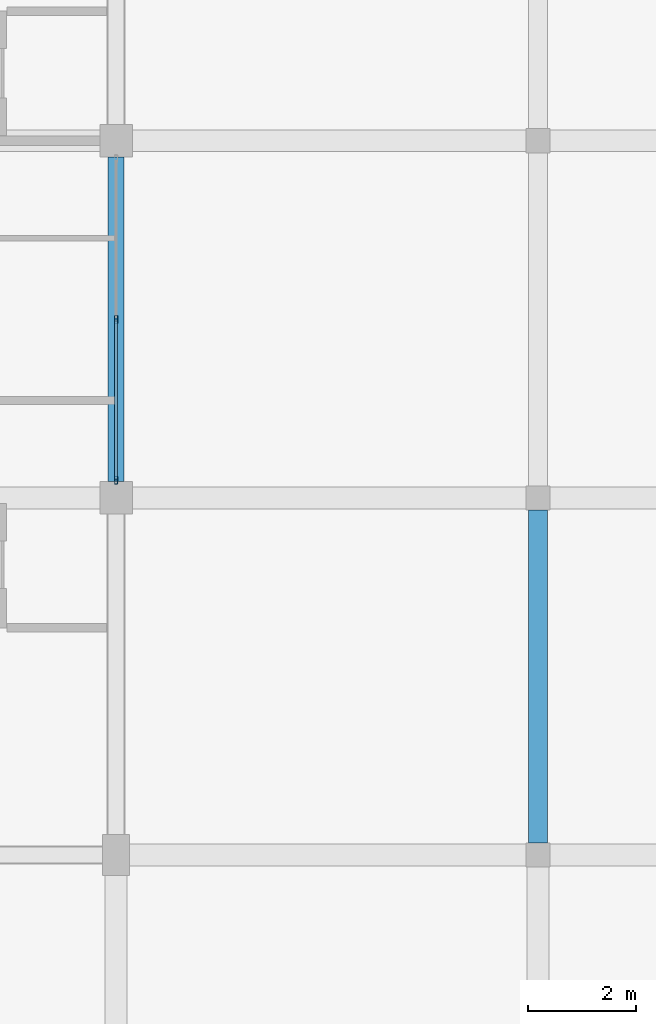
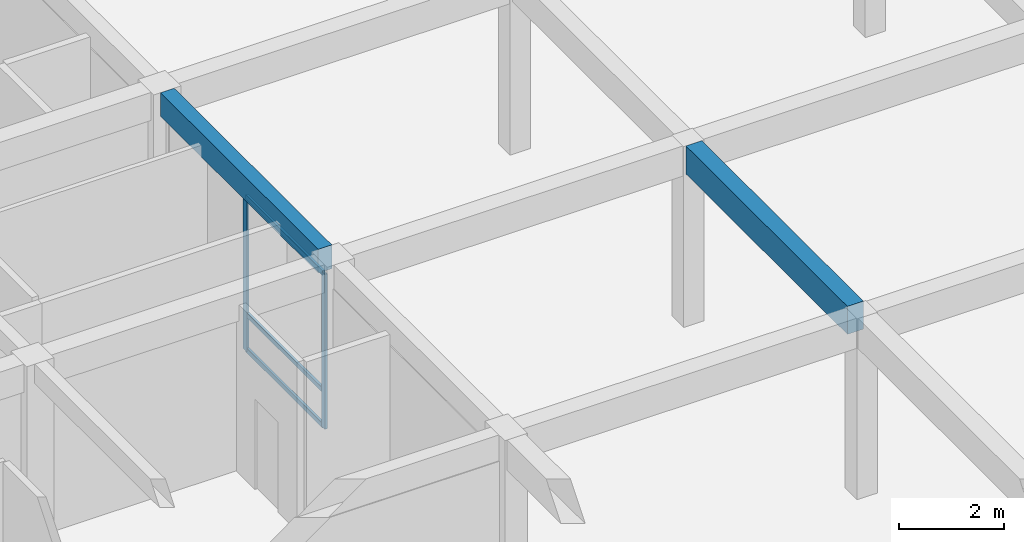
# One storey, part 30 of 75: 5 members, 2 beams, 1 element without a shape of its own.
"""IFC4 building model written with IfcOpenShell, lengths in metres."""

from ifc_helpers import new_model, si_unit, direction, frame, origin, origin_2d, place, context, subcontext, project, spatial, rectangle, hollow_rectangle, extrude, material, material_profile, profile_set, type_object, element, aggregate, save


model = new_model("IFC4")

# Units and contexts
model_context = context("Model", 3, precision=1e-05, world=origin(), true_north=direction((0.0, 1.0)))
body_context = subcontext(model_context, "Body", "Model", "MODEL_VIEW")
ifc_project = project(units=[si_unit("LENGTHUNIT", "METRE"), si_unit("AREAUNIT", "SQUARE_METRE"), si_unit("VOLUMEUNIT", "CUBIC_METRE"), si_unit("PLANEANGLEUNIT", "RADIAN"), si_unit("MASSUNIT", "GRAM", prefix="KILO")], contexts=[model_context])

# Site, building, storey
site_placement = place(None, origin())
site = spatial("IfcSite", under=ifc_project, at=site_placement, CompositionType="ELEMENT")
building_placement = place(site_placement, origin())
building = spatial("IfcBuilding", under=site, at=building_placement, Name="Kernevlak Ridge Housing Community", CompositionType="ELEMENT")
storey_placement = place(building_placement, origin())
storey = spatial("IfcBuildingStorey", under=building, at=storey_placement, Name="L00", CompositionType="ELEMENT", Elevation=0.0)

# Beam
ifc_material_1 = material(Name="Concrete C35/45", Category="concrete")
ifc_material_profile_1 = material_profile(ifc_material_1, rectangle(XDim=0.35009765625, YDim=0.64990234375, at=origin_2d()), Name="RC 350x650")
ifc_profile_set_1 = profile_set([ifc_material_profile_1], Name="Concrete C35/45")
beam_type_1 = type_object("IfcBeamType", Name="B-02", PredefinedType="BEAM", material=ifc_profile_set_1)
beam_1_placement = place(storey_placement, frame((56.39990234375, 76.22509765625, 3.875), z_axis=(0.0, 1.0, 0.0), x_axis=(-1.0, 0.0, 0.0)))
element("IfcBeam", 1, at=beam_1_placement, inside=storey, type_object=beam_type_1, Name="Beam B-02 L00 2308", PredefinedType="BEAM", context=body_context, shape_type="SweptSolid", body=[
    extrude(rectangle(XDim=0.35009765625, YDim=0.64990234375, at=origin_2d()), origin(), (0.0, 0.0, 1.0), 6.14990234375),
])

# Curtain wall, members
ifc_material_2 = material(Name="Aluminium EN AW-6060 anodised and laminated glass", Category="aluminium")
curtain_wall_type = type_object("IfcCurtainWallType", Name="CW-10", PredefinedType="NOTDEFINED", material=ifc_material_2)
curtain_wall_placement = place(storey_placement, origin())
curtain_wall = element("IfcCurtainWall", 2, at=curtain_wall_placement, inside=storey, type_object=curtain_wall_type, Name="Curtain wall CW-10 CW-L00-003", PredefinedType="NOTDEFINED")
ifc_material_3 = material(Name="Aluminium EN AW-6060 anodised", Category="aluminium")
ifc_material_profile_2 = material_profile(ifc_material_3, hollow_rectangle(XDim=0.054931640625, YDim=0.139892578125, WallThickness=0.00390625, InnerFilletRadius=0.001953125, OuterFilletRadius=0.00390625, at=origin_2d()), Name="ALU 55x140x4")
ifc_profile_set_2 = profile_set([ifc_material_profile_2], Name="Aluminium EN AW-6060 anodised")
member_type_1 = type_object("IfcMemberType", Name="MU-01", PredefinedType="MULLION", material=ifc_profile_set_2)
member_1_placement = place(storey_placement, frame((48.60009765625, 82.927490234375, 0.0), z_axis=(0.0, 0.0, 1.0), x_axis=(-1.0, 0.0, 0.0)))
member_1 = element("IfcMember", 3, at=member_1_placement, type_object=member_type_1, Name="CW-10 mullion 1", PredefinedType="MULLION", context=body_context, shape_type="SweptSolid", body=[
    extrude(hollow_rectangle(XDim=0.054931640625, YDim=0.139892578125, WallThickness=0.00390625, InnerFilletRadius=0.001953125, OuterFilletRadius=0.00390625, at=origin_2d()), origin(), (0.0, 0.0, 1.0), 3.60009765625),
])
member_2_placement = place(storey_placement, frame((48.60009765625, 85.89990234375, 0.0), z_axis=(0.0, 0.0, 1.0), x_axis=(-1.0, 0.0, 0.0)))
member_2 = element("IfcMember", 4, at=member_2_placement, type_object=member_type_1, Name="CW-10 mullion 2", PredefinedType="MULLION", context=body_context, shape_type="SweptSolid", body=[
    extrude(hollow_rectangle(XDim=0.054931640625, YDim=0.139892578125, WallThickness=0.00390625, InnerFilletRadius=0.001953125, OuterFilletRadius=0.00390625, at=origin_2d()), origin(), (0.0, 0.0, 1.0), 3.60009765625),
])

# Beam
ifc_material_profile_3 = material_profile(ifc_material_1, rectangle(XDim=0.300048828125, YDim=0.550048828125, at=origin_2d()), Name="RC 300x550")
ifc_profile_set_3 = profile_set([ifc_material_profile_3], Name="Concrete C35/45")
beam_type_2 = type_object("IfcBeamType", Name="SP-01", PredefinedType="SPANDREL", material=ifc_profile_set_3)
beam_2_placement = place(storey_placement, frame((48.60009765625, 82.89990234375, 3.925048828125), z_axis=(0.0, 1.0, 0.0), x_axis=(-1.0, 0.0, 0.0)))
element("IfcBeam", 5, at=beam_2_placement, inside=storey, type_object=beam_type_2, Name="Beam SP-01 L00 71", PredefinedType="SPANDREL", context=body_context, shape_type="SweptSolid", body=[
    extrude(rectangle(XDim=0.300048828125, YDim=0.550048828125, at=origin_2d()), origin(), (0.0, 0.0, 1.0), 6.0),
])

# Member
ifc_material_profile_4 = material_profile(ifc_material_3, hollow_rectangle(XDim=0.054931640625, YDim=0.110107421875, WallThickness=0.00390625, InnerFilletRadius=0.001953125, OuterFilletRadius=0.00390625, at=origin_2d()), Name="ALU 55x110x4")
ifc_profile_set_4 = profile_set([ifc_material_profile_4], Name="Aluminium EN AW-6060 anodised")
member_type_2 = type_object("IfcMemberType", Name="TM-01", PredefinedType="USERDEFINED", material=ifc_profile_set_4)
member_3_placement = place(storey_placement, frame((48.60009765625, 82.955078125, 0.027587890625), z_axis=(0.0, 1.0, 0.0), x_axis=(-1.0, 0.0, 0.0)))
member_3 = element("IfcMember", 6, at=member_3_placement, type_object=member_type_2, Name="CW-10 transom 1.1", ObjectType="TRANSOM", PredefinedType="USERDEFINED", context=body_context, shape_type="SweptSolid", body=[
    extrude(hollow_rectangle(XDim=0.054931640625, YDim=0.110107421875, WallThickness=0.00390625, InnerFilletRadius=0.001953125, OuterFilletRadius=0.00390625, at=origin_2d()), origin(), (0.0, 0.0, 1.0), 2.91748046875),
])

member_4_placement = place(storey_placement, frame((48.60009765625, 82.955078125, 0.85009765625), z_axis=(0.0, 1.0, 0.0), x_axis=(-1.0, 0.0, 0.0)))
member_4 = element("IfcMember", 7, at=member_4_placement, type_object=member_type_2, Name="CW-10 transom 1.2", ObjectType="TRANSOM", PredefinedType="USERDEFINED", context=body_context, shape_type="SweptSolid", body=[
    extrude(hollow_rectangle(XDim=0.054931640625, YDim=0.110107421875, WallThickness=0.00390625, InnerFilletRadius=0.001953125, OuterFilletRadius=0.00390625, at=origin_2d()), origin(), (0.0, 0.0, 1.0), 2.91748046875),
])

member_5_placement = place(storey_placement, frame((48.60009765625, 82.955078125, 3.572509765625), z_axis=(0.0, 1.0, 0.0), x_axis=(-1.0, 0.0, 0.0)))
member_5 = element("IfcMember", 8, at=member_5_placement, type_object=member_type_2, Name="CW-10 transom 1.3", ObjectType="TRANSOM", PredefinedType="USERDEFINED", context=body_context, shape_type="SweptSolid", body=[
    extrude(hollow_rectangle(XDim=0.054931640625, YDim=0.110107421875, WallThickness=0.00390625, InnerFilletRadius=0.001953125, OuterFilletRadius=0.00390625, at=origin_2d()), origin(), (0.0, 0.0, 1.0), 2.91748046875),
])

aggregate(curtain_wall, [member_1, member_2, member_3, member_4, member_5])

save(model, "model.ifc")
